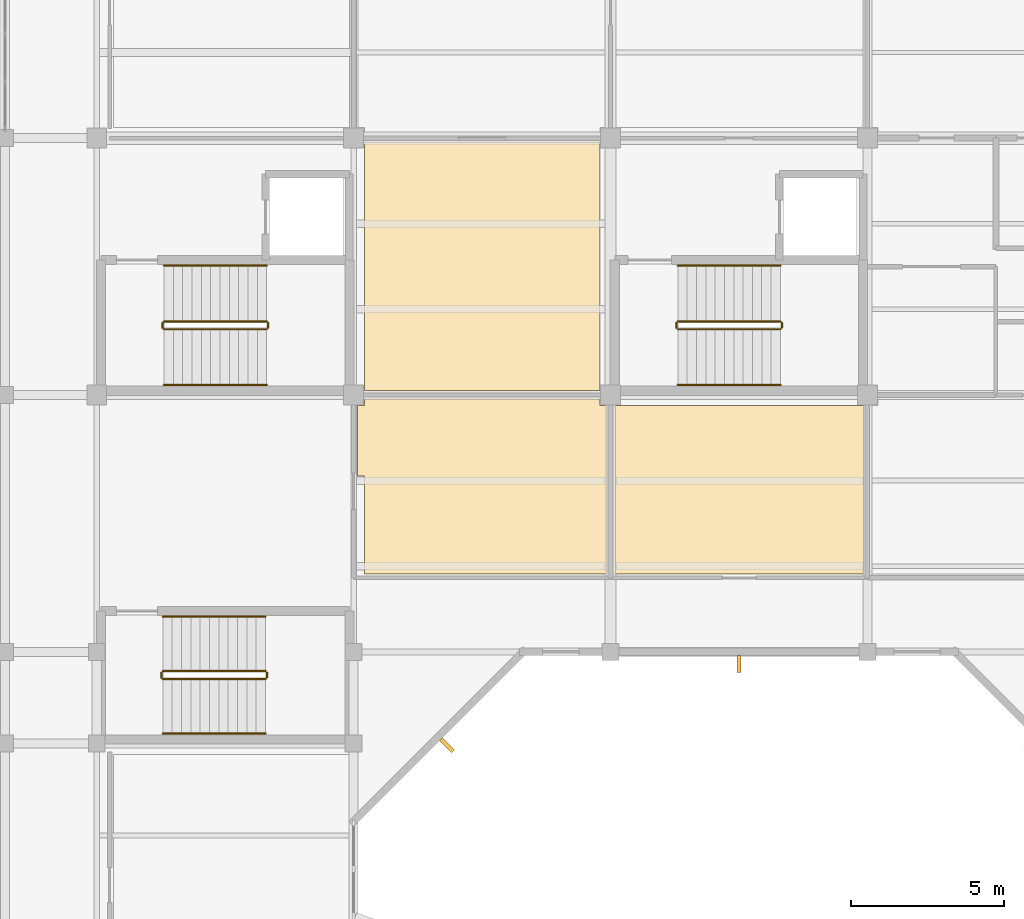
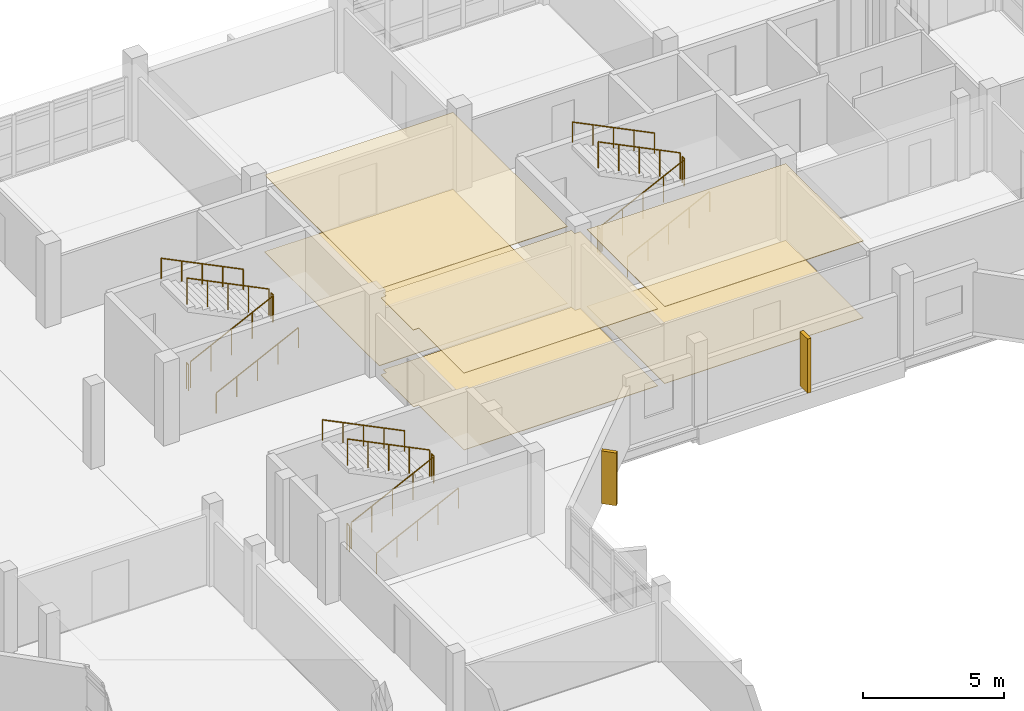
# One storey, part 49 of 51: 18 railings, 6 coverings, 2 shading devices.
"""IFC4 building model written with IfcOpenShell, lengths in metres."""

from ifc_helpers import new_model, si_unit, direction, frame, origin, origin_2d, place, context, subcontext, project, spatial, polyline, rectangle, circle, outline, extrude, material, layer, layer_set, type_object, element, save


model = new_model("IFC4")

# Units and contexts
model_context = context("Model", 3, precision=1e-05, world=origin(), true_north=direction((0.0, 1.0)))
body_context = subcontext(model_context, "Body", "Model", "MODEL_VIEW")
ifc_project = project(units=[si_unit("LENGTHUNIT", "METRE"), si_unit("AREAUNIT", "SQUARE_METRE"), si_unit("VOLUMEUNIT", "CUBIC_METRE"), si_unit("PLANEANGLEUNIT", "RADIAN"), si_unit("MASSUNIT", "GRAM", prefix="KILO")], contexts=[model_context])

# Site, building, storey
site_placement = place(None, origin())
site = spatial("IfcSite", under=ifc_project, at=site_placement, CompositionType="ELEMENT")
building_placement = place(site_placement, origin())
building = spatial("IfcBuilding", under=site, at=building_placement, Name="Vanh Quang Courtyard School", CompositionType="ELEMENT")
storey_placement = place(building_placement, frame((0.0, 0.0, 11.39990234375)))
storey = spatial("IfcBuildingStorey", under=building, at=storey_placement, Name="L03", CompositionType="ELEMENT", Elevation=11.39990234375)

# Coverings
ifc_material_1 = material(Name="Perforated mineral-fibre acoustic ceiling board")
ifc_layer_1 = layer(ifc_material_1, 0.02490234375)
ifc_layer_set_1 = layer_set([ifc_layer_1], Name="Perforated mineral-fibre acoustic ceiling board")
covering_type_1 = type_object("IfcCoveringType", Name="COV-CEIL-ACOUSTIC", PredefinedType="CEILING", material=ifc_layer_set_1)
covering_1_placement = place(storey_placement, frame((0.0, 0.0, 3.315185546875)))
element("IfcCovering", 1, at=covering_1_placement, inside=storey, type_object=covering_type_1, Name="Covering CV-CL1 (L03)", PredefinedType="CEILING", context=body_context, shape_type="SweptSolid", body=[
    extrude(outline(polyline([(85.929931640625, 79.449951171875), (86.14990234375, 79.449951171875), (86.14990234375, 79.669921875), (93.85009765625, 79.669921875), (93.85009765625, 79.449951171875), (94.070068359375, 79.449951171875), (94.070068359375, 73.9599609375), (94.070068359375, 73.958984375), (94.06982421875, 73.9580078125), (94.069580078125, 73.95703125), (94.069091796875, 73.956298828125), (94.06884765625, 73.955322265625), (94.068359375, 73.954345703125), (94.067626953125, 73.95361328125), (94.067138671875, 73.952880859375), (94.06640625, 73.952392578125), (94.065673828125, 73.95166015625), (94.064697265625, 73.951171875), (94.063720703125, 73.95068359375), (94.06298828125, 73.950439453125), (94.06201171875, 73.9501953125), (94.06103515625, 73.949951171875), (94.06005859375, 73.949951171875), (86.14990234375, 73.949951171875), (86.14990234375, 77.14990234375), (85.929931640625, 77.14990234375), (85.929931640625, 79.449951171875)])), origin(), (0.0, 0.0, 1.0), 0.02490234375),
])
covering_2_placement = place(storey_placement, frame((0.0, 0.0, 3.315185546875)))
element("IfcCovering", 2, at=covering_2_placement, inside=storey, type_object=covering_type_1, Name="Covering CV-CL1 (L03)", PredefinedType="CEILING", context=body_context, shape_type="SweptSolid", body=[
    extrude(outline(polyline([(86.14990234375, 79.949951171875), (86.14990234375, 88.070068359375), (93.85009765625, 88.070068359375), (93.85009765625, 79.949951171875), (86.14990234375, 79.949951171875)])), origin(), (0.0, 0.0, 1.0), 0.02490234375),
])
covering_3_placement = place(storey_placement, frame((0.0, 0.0, 3.315185546875)))
element("IfcCovering", 3, at=covering_3_placement, inside=storey, type_object=covering_type_1, Name="Covering CV-CL1 (L03)", PredefinedType="CEILING", context=body_context, shape_type="SweptSolid", body=[
    extrude(outline(polyline([(94.360107421875, 73.949951171875), (94.35888671875, 73.949951171875), (94.35791015625, 73.9501953125), (94.357177734375, 73.950439453125), (94.356201171875, 73.95068359375), (94.355224609375, 73.951171875), (94.3544921875, 73.95166015625), (94.353759765625, 73.952392578125), (94.352783203125, 73.952880859375), (94.352294921875, 73.95361328125), (94.351806640625, 73.954345703125), (94.351318359375, 73.955322265625), (94.350830078125, 73.956298828125), (94.350341796875, 73.95703125), (94.35009765625, 73.9580078125), (94.35009765625, 73.958984375), (94.35009765625, 73.9599609375), (94.35009765625, 79.449951171875), (102.469970703125, 79.449951171875), (102.469970703125, 73.9599609375), (102.469970703125, 73.958984375), (102.4697265625, 73.9580078125), (102.469482421875, 73.95703125), (102.46923828125, 73.956298828125), (102.46875, 73.955322265625), (102.46826171875, 73.954345703125), (102.4677734375, 73.95361328125), (102.467041015625, 73.952880859375), (102.46630859375, 73.952392578125), (102.465576171875, 73.95166015625), (102.464599609375, 73.951171875), (102.4638671875, 73.95068359375), (102.462890625, 73.950439453125), (102.4619140625, 73.9501953125), (102.4609375, 73.949951171875), (102.4599609375, 73.949951171875), (94.360107421875, 73.949951171875)])), origin(), (0.0, 0.0, 1.0), 0.02490234375),
])
ifc_material_2 = material(Name="Polished cementitious terrazzo tile", Category="concrete")
ifc_layer_2 = layer(ifc_material_2, 0.02001953125)
ifc_layer_set_2 = layer_set([ifc_layer_2], Name="Polished cementitious terrazzo tile")
covering_type_2 = type_object("IfcCoveringType", Name="COV-FLR-TERRAZZO", PredefinedType="FLOORING", material=ifc_layer_set_2)
covering_4_placement = place(storey_placement, origin())
element("IfcCovering", 4, at=covering_4_placement, inside=storey, type_object=covering_type_2, Name="Covering CV-FL1 (L03)", PredefinedType="FLOORING", context=body_context, shape_type="SweptSolid", body=[
    extrude(outline(polyline([(85.929931640625, 79.449951171875), (86.14990234375, 79.449951171875), (86.14990234375, 79.669921875), (93.85009765625, 79.669921875), (93.85009765625, 79.449951171875), (94.070068359375, 79.449951171875), (94.070068359375, 73.9599609375), (94.070068359375, 73.958984375), (94.06982421875, 73.9580078125), (94.069580078125, 73.95703125), (94.069091796875, 73.956298828125), (94.06884765625, 73.955322265625), (94.068359375, 73.954345703125), (94.067626953125, 73.95361328125), (94.067138671875, 73.952880859375), (94.06640625, 73.952392578125), (94.065673828125, 73.95166015625), (94.064697265625, 73.951171875), (94.063720703125, 73.95068359375), (94.06298828125, 73.950439453125), (94.06201171875, 73.9501953125), (94.06103515625, 73.949951171875), (94.06005859375, 73.949951171875), (86.14990234375, 73.949951171875), (86.14990234375, 77.14990234375), (85.929931640625, 77.14990234375), (85.929931640625, 79.449951171875)])), origin(), (0.0, 0.0, 1.0), 0.02001953125),
])
covering_5_placement = place(storey_placement, origin())
element("IfcCovering", 5, at=covering_5_placement, inside=storey, type_object=covering_type_2, Name="Covering CV-FL1 (L03)", PredefinedType="FLOORING", context=body_context, shape_type="SweptSolid", body=[
    extrude(outline(polyline([(86.14990234375, 79.949951171875), (86.14990234375, 88.070068359375), (93.85009765625, 88.070068359375), (93.85009765625, 79.949951171875), (86.14990234375, 79.949951171875)])), origin(), (0.0, 0.0, 1.0), 0.02001953125),
])
covering_6_placement = place(storey_placement, origin())
element("IfcCovering", 6, at=covering_6_placement, inside=storey, type_object=covering_type_2, Name="Covering CV-FL1 (L03)", PredefinedType="FLOORING", context=body_context, shape_type="SweptSolid", body=[
    extrude(outline(polyline([(94.360107421875, 73.949951171875), (94.35888671875, 73.949951171875), (94.35791015625, 73.9501953125), (94.357177734375, 73.950439453125), (94.356201171875, 73.95068359375), (94.355224609375, 73.951171875), (94.3544921875, 73.95166015625), (94.353759765625, 73.952392578125), (94.352783203125, 73.952880859375), (94.352294921875, 73.95361328125), (94.351806640625, 73.954345703125), (94.351318359375, 73.955322265625), (94.350830078125, 73.956298828125), (94.350341796875, 73.95703125), (94.35009765625, 73.9580078125), (94.35009765625, 73.958984375), (94.35009765625, 73.9599609375), (94.35009765625, 79.449951171875), (102.469970703125, 79.449951171875), (102.469970703125, 73.9599609375), (102.469970703125, 73.958984375), (102.4697265625, 73.9580078125), (102.469482421875, 73.95703125), (102.46923828125, 73.956298828125), (102.46875, 73.955322265625), (102.46826171875, 73.954345703125), (102.4677734375, 73.95361328125), (102.467041015625, 73.952880859375), (102.46630859375, 73.952392578125), (102.465576171875, 73.95166015625), (102.464599609375, 73.951171875), (102.4638671875, 73.95068359375), (102.462890625, 73.950439453125), (102.4619140625, 73.9501953125), (102.4609375, 73.949951171875), (102.4599609375, 73.949951171875), (94.360107421875, 73.949951171875)])), origin(), (0.0, 0.0, 1.0), 0.02001953125),
])

# Railings
ifc_material_3 = material(Name="Galvanised painted steel EN 10025-2 S355J2", Category="steel")
railing_type_1 = type_object("IfcRailingType", Name="RAIL-GUARD-1150", PredefinedType="BALUSTRADE", material=ifc_material_3)
railing_1_placement = place(storey_placement, frame((79.60009765625, 81.949951171875, 0.150146484375)))
element("IfcRailing", 7, at=railing_1_placement, inside=storey, type_object=railing_type_1, Name="L03 ST-01 stair guard 1", PredefinedType="BALUSTRADE", context=body_context, shape_type="SweptSolid", body=[
    extrude(circle(Radius=0.02392578125, at=origin_2d()), frame((0.0, 0.0, 1.1259765625), z_axis=(0.897359292542, 0.0, 0.441300691239), x_axis=(0.0, 1.0, 0.0)), (0.0, 0.0, 1.0), 3.73876953125),
    extrude(circle(Radius=0.02099609375, at=origin_2d()), origin(), (0.0, 0.0, 1.0), 1.101806640625),
    extrude(circle(Radius=0.02099609375, at=origin_2d()), frame((0.8388671875, 0.0, 0.41259765625)), (0.0, 0.0, 1.0), 1.101806640625),
    extrude(circle(Radius=0.02099609375, at=origin_2d()), frame((1.677490234375, 0.0, 0.824951171875)), (0.0, 0.0, 1.0), 1.101806640625),
    extrude(circle(Radius=0.02099609375, at=origin_2d()), frame((2.51611328125, 0.0, 1.2373046875)), (0.0, 0.0, 1.0), 1.101806640625),
    extrude(circle(Radius=0.02099609375, at=origin_2d()), frame((3.35498046875, 0.0, 1.64990234375)), (0.0, 0.0, 1.0), 1.101806640625),
])
railing_2_placement = place(storey_placement, frame((83.0048828125, 82.0, 1.800048828125)))
element("IfcRailing", 8, at=railing_2_placement, inside=storey, type_object=railing_type_1, Name="L03 ST-01 stair guard 2", PredefinedType="BALUSTRADE", context=body_context, shape_type="SweptSolid", body=[
    extrude(circle(Radius=0.02392578125, at=origin_2d()), frame((0.0, 0.0, 1.1259765625), z_axis=(0.0, 1.0, 0.0), x_axis=(-1.0, 0.0, 0.0)), (0.0, 0.0, 1.0), 0.159912109375),
    extrude(circle(Radius=0.02099609375, at=origin_2d()), origin(), (0.0, 0.0, 1.0), 1.101806640625),
    extrude(circle(Radius=0.02099609375, at=origin_2d()), frame((0.0, 0.159912109375, 0.0)), (0.0, 0.0, 1.0), 1.101806640625),
])
railing_3_placement = place(storey_placement, frame((82.955078125, 82.2099609375, 1.9501953125)))
element("IfcRailing", 9, at=railing_3_placement, inside=storey, type_object=railing_type_1, Name="L03 ST-01 stair guard 3", PredefinedType="BALUSTRADE", context=body_context, shape_type="SweptSolid", body=[
    extrude(circle(Radius=0.02392578125, at=origin_2d()), frame((0.0, 0.0, 1.1259765625), z_axis=(-0.897359292542, 0.0, 0.441300691239), x_axis=(0.0, -1.0, 0.0)), (0.0, 0.0, 1.0), 3.73876953125),
    extrude(circle(Radius=0.02099609375, at=origin_2d()), origin(), (0.0, 0.0, 1.0), 1.101806640625),
    extrude(circle(Radius=0.02099609375, at=origin_2d()), frame((-0.8388671875, 0.0, 0.41259765625)), (0.0, 0.0, 1.0), 1.101806640625),
    extrude(circle(Radius=0.02099609375, at=origin_2d()), frame((-1.677490234375, 0.0, 0.824951171875)), (0.0, 0.0, 1.0), 1.101806640625),
    extrude(circle(Radius=0.02099609375, at=origin_2d()), frame((-2.51611328125, 0.0, 1.2373046875)), (0.0, 0.0, 1.0), 1.101806640625),
    extrude(circle(Radius=0.02099609375, at=origin_2d()), frame((-3.35498046875, 0.0, 1.64990234375)), (0.0, 0.0, 1.0), 1.101806640625),
])
railing_4_placement = place(storey_placement, frame((79.550048828125, 82.0, 0.0)))
element("IfcRailing", 10, at=railing_4_placement, inside=storey, type_object=railing_type_1, Name="L03 ST-01 stair guard 4", PredefinedType="BALUSTRADE", context=body_context, shape_type="SweptSolid", body=[
    extrude(circle(Radius=0.02392578125, at=origin_2d()), frame((0.0, 0.0, 1.1259765625), z_axis=(0.0, 1.0, 0.0), x_axis=(-1.0, 0.0, 0.0)), (0.0, 0.0, 1.0), 0.159912109375),
    extrude(circle(Radius=0.02099609375, at=origin_2d()), origin(), (0.0, 0.0, 1.0), 1.101806640625),
    extrude(circle(Radius=0.02099609375, at=origin_2d()), frame((0.0, 0.159912109375, 0.0)), (0.0, 0.0, 1.0), 1.101806640625),
])
railing_5_placement = place(storey_placement, frame((96.39990234375, 81.949951171875, 0.150146484375)))
element("IfcRailing", 11, at=railing_5_placement, inside=storey, type_object=railing_type_1, Name="L03 ST-02 stair guard 1", PredefinedType="BALUSTRADE", context=body_context, shape_type="SweptSolid", body=[
    extrude(circle(Radius=0.02392578125, at=origin_2d()), frame((0.0, 0.0, 1.1259765625), z_axis=(0.897359292542, 0.0, 0.441300691239), x_axis=(0.0, 1.0, 0.0)), (0.0, 0.0, 1.0), 3.73876953125),
    extrude(circle(Radius=0.02099609375, at=origin_2d()), origin(), (0.0, 0.0, 1.0), 1.101806640625),
    extrude(circle(Radius=0.02099609375, at=origin_2d()), frame((0.8388671875, 0.0, 0.41259765625)), (0.0, 0.0, 1.0), 1.101806640625),
    extrude(circle(Radius=0.02099609375, at=origin_2d()), frame((1.677490234375, 0.0, 0.824951171875)), (0.0, 0.0, 1.0), 1.101806640625),
    extrude(circle(Radius=0.02099609375, at=origin_2d()), frame((2.51611328125, 0.0, 1.2373046875)), (0.0, 0.0, 1.0), 1.101806640625),
    extrude(circle(Radius=0.02099609375, at=origin_2d()), frame((3.35498046875, 0.0, 1.64990234375)), (0.0, 0.0, 1.0), 1.101806640625),
])
railing_6_placement = place(storey_placement, frame((99.804931640625, 82.0, 1.800048828125)))
element("IfcRailing", 12, at=railing_6_placement, inside=storey, type_object=railing_type_1, Name="L03 ST-02 stair guard 2", PredefinedType="BALUSTRADE", context=body_context, shape_type="SweptSolid", body=[
    extrude(circle(Radius=0.02392578125, at=origin_2d()), frame((0.0, 0.0, 1.1259765625), z_axis=(0.0, 1.0, 0.0), x_axis=(-1.0, 0.0, 0.0)), (0.0, 0.0, 1.0), 0.159912109375),
    extrude(circle(Radius=0.02099609375, at=origin_2d()), origin(), (0.0, 0.0, 1.0), 1.101806640625),
    extrude(circle(Radius=0.02099609375, at=origin_2d()), frame((0.0, 0.159912109375, 0.0)), (0.0, 0.0, 1.0), 1.101806640625),
])
railing_7_placement = place(storey_placement, frame((99.7548828125, 82.2099609375, 1.9501953125)))
element("IfcRailing", 13, at=railing_7_placement, inside=storey, type_object=railing_type_1, Name="L03 ST-02 stair guard 3", PredefinedType="BALUSTRADE", context=body_context, shape_type="SweptSolid", body=[
    extrude(circle(Radius=0.02392578125, at=origin_2d()), frame((0.0, 0.0, 1.1259765625), z_axis=(-0.897359292542, 0.0, 0.441300691239), x_axis=(0.0, -1.0, 0.0)), (0.0, 0.0, 1.0), 3.73876953125),
    extrude(circle(Radius=0.02099609375, at=origin_2d()), origin(), (0.0, 0.0, 1.0), 1.101806640625),
    extrude(circle(Radius=0.02099609375, at=origin_2d()), frame((-0.8388671875, 0.0, 0.41259765625)), (0.0, 0.0, 1.0), 1.101806640625),
    extrude(circle(Radius=0.02099609375, at=origin_2d()), frame((-1.677490234375, 0.0, 0.824951171875)), (0.0, 0.0, 1.0), 1.101806640625),
    extrude(circle(Radius=0.02099609375, at=origin_2d()), frame((-2.51611328125, 0.0, 1.2373046875)), (0.0, 0.0, 1.0), 1.101806640625),
    extrude(circle(Radius=0.02099609375, at=origin_2d()), frame((-3.35498046875, 0.0, 1.64990234375)), (0.0, 0.0, 1.0), 1.101806640625),
])
railing_8_placement = place(storey_placement, frame((96.35009765625, 82.0, 0.0)))
element("IfcRailing", 14, at=railing_8_placement, inside=storey, type_object=railing_type_1, Name="L03 ST-02 stair guard 4", PredefinedType="BALUSTRADE", context=body_context, shape_type="SweptSolid", body=[
    extrude(circle(Radius=0.02392578125, at=origin_2d()), frame((0.0, 0.0, 1.1259765625), z_axis=(0.0, 1.0, 0.0), x_axis=(-1.0, 0.0, 0.0)), (0.0, 0.0, 1.0), 0.159912109375),
    extrude(circle(Radius=0.02099609375, at=origin_2d()), origin(), (0.0, 0.0, 1.0), 1.101806640625),
    extrude(circle(Radius=0.02099609375, at=origin_2d()), frame((0.0, 0.159912109375, 0.0)), (0.0, 0.0, 1.0), 1.101806640625),
])
railing_9_placement = place(storey_placement, frame((79.56005859375, 70.510009765625, 0.150146484375)))
element("IfcRailing", 15, at=railing_9_placement, inside=storey, type_object=railing_type_1, Name="L03 ST-05 stair guard 1", PredefinedType="BALUSTRADE", context=body_context, shape_type="SweptSolid", body=[
    extrude(circle(Radius=0.02392578125, at=origin_2d()), frame((0.0, 0.0, 1.1259765625), z_axis=(0.897359292542, 0.0, 0.441300691239), x_axis=(0.0, 1.0, 0.0)), (0.0, 0.0, 1.0), 3.73876953125),
    extrude(circle(Radius=0.02099609375, at=origin_2d()), origin(), (0.0, 0.0, 1.0), 1.101806640625),
    extrude(circle(Radius=0.02099609375, at=origin_2d()), frame((0.8388671875, 0.0, 0.41259765625)), (0.0, 0.0, 1.0), 1.101806640625),
    extrude(circle(Radius=0.02099609375, at=origin_2d()), frame((1.677490234375, 0.0, 0.824951171875)), (0.0, 0.0, 1.0), 1.101806640625),
    extrude(circle(Radius=0.02099609375, at=origin_2d()), frame((2.51611328125, 0.0, 1.2373046875)), (0.0, 0.0, 1.0), 1.101806640625),
    extrude(circle(Radius=0.02099609375, at=origin_2d()), frame((3.35498046875, 0.0, 1.64990234375)), (0.0, 0.0, 1.0), 1.101806640625),
])
railing_10_placement = place(storey_placement, frame((82.965087890625, 70.56005859375, 1.800048828125)))
element("IfcRailing", 16, at=railing_10_placement, inside=storey, type_object=railing_type_1, Name="L03 ST-05 stair guard 2", PredefinedType="BALUSTRADE", context=body_context, shape_type="SweptSolid", body=[
    extrude(circle(Radius=0.02392578125, at=origin_2d()), frame((0.0, 0.0, 1.1259765625), z_axis=(0.0, 1.0, 0.0), x_axis=(-1.0, 0.0, 0.0)), (0.0, 0.0, 1.0), 0.159912109375),
    extrude(circle(Radius=0.02099609375, at=origin_2d()), origin(), (0.0, 0.0, 1.0), 1.101806640625),
    extrude(circle(Radius=0.02099609375, at=origin_2d()), frame((0.0, 0.159912109375, 0.0)), (0.0, 0.0, 1.0), 1.101806640625),
])
railing_11_placement = place(storey_placement, frame((82.9150390625, 70.77001953125, 1.9501953125)))
element("IfcRailing", 17, at=railing_11_placement, inside=storey, type_object=railing_type_1, Name="L03 ST-05 stair guard 3", PredefinedType="BALUSTRADE", context=body_context, shape_type="SweptSolid", body=[
    extrude(circle(Radius=0.02392578125, at=origin_2d()), frame((0.0, 0.0, 1.1259765625), z_axis=(-0.897359292542, 0.0, 0.441300691239), x_axis=(0.0, -1.0, 0.0)), (0.0, 0.0, 1.0), 3.73876953125),
    extrude(circle(Radius=0.02099609375, at=origin_2d()), origin(), (0.0, 0.0, 1.0), 1.101806640625),
    extrude(circle(Radius=0.02099609375, at=origin_2d()), frame((-0.8388671875, 0.0, 0.41259765625)), (0.0, 0.0, 1.0), 1.101806640625),
    extrude(circle(Radius=0.02099609375, at=origin_2d()), frame((-1.677490234375, 0.0, 0.824951171875)), (0.0, 0.0, 1.0), 1.101806640625),
    extrude(circle(Radius=0.02099609375, at=origin_2d()), frame((-2.51611328125, 0.0, 1.2373046875)), (0.0, 0.0, 1.0), 1.101806640625),
    extrude(circle(Radius=0.02099609375, at=origin_2d()), frame((-3.35498046875, 0.0, 1.64990234375)), (0.0, 0.0, 1.0), 1.101806640625),
])
railing_12_placement = place(storey_placement, frame((79.510009765625, 70.56005859375, 0.0)))
element("IfcRailing", 18, at=railing_12_placement, inside=storey, type_object=railing_type_1, Name="L03 ST-05 stair guard 4", PredefinedType="BALUSTRADE", context=body_context, shape_type="SweptSolid", body=[
    extrude(circle(Radius=0.02392578125, at=origin_2d()), frame((0.0, 0.0, 1.1259765625), z_axis=(0.0, 1.0, 0.0), x_axis=(-1.0, 0.0, 0.0)), (0.0, 0.0, 1.0), 0.159912109375),
    extrude(circle(Radius=0.02099609375, at=origin_2d()), origin(), (0.0, 0.0, 1.0), 1.101806640625),
    extrude(circle(Radius=0.02099609375, at=origin_2d()), frame((0.0, 0.159912109375, 0.0)), (0.0, 0.0, 1.0), 1.101806640625),
])
ifc_material_4 = material(Name="Brushed stainless steel", Category="steel")
railing_type_2 = type_object("IfcRailingType", Name="RAIL-HAND-900", PredefinedType="HANDRAIL", material=ifc_material_4)
railing_13_placement = place(storey_placement, frame((79.60009765625, 80.1298828125, 0.150146484375)))
element("IfcRailing", 19, at=railing_13_placement, inside=storey, type_object=railing_type_2, Name="L03 ST-01 stair handrail 1", PredefinedType="HANDRAIL", context=body_context, shape_type="SweptSolid", body=[
    extrude(circle(Radius=0.02392578125, at=origin_2d()), frame((0.0, 0.0, 0.8759765625), z_axis=(0.897359292542, 0.0, 0.441300691239), x_axis=(0.0, 1.0, 0.0)), (0.0, 0.0, 1.0), 3.73876953125),
    extrude(circle(Radius=0.02099609375, at=origin_2d()), origin(), (0.0, 0.0, 1.0), 0.851806640625),
    extrude(circle(Radius=0.02099609375, at=origin_2d()), frame((0.8388671875, 0.0, 0.41259765625)), (0.0, 0.0, 1.0), 0.851806640625),
    extrude(circle(Radius=0.02099609375, at=origin_2d()), frame((1.677490234375, 0.0, 0.824951171875)), (0.0, 0.0, 1.0), 0.851806640625),
    extrude(circle(Radius=0.02099609375, at=origin_2d()), frame((2.51611328125, 0.0, 1.2373046875)), (0.0, 0.0, 1.0), 0.851806640625),
    extrude(circle(Radius=0.02099609375, at=origin_2d()), frame((3.35498046875, 0.0, 1.64990234375)), (0.0, 0.0, 1.0), 0.851806640625),
])
railing_14_placement = place(storey_placement, frame((82.955078125, 84.030029296875, 1.9501953125)))
element("IfcRailing", 20, at=railing_14_placement, inside=storey, type_object=railing_type_2, Name="L03 ST-01 stair handrail 2", PredefinedType="HANDRAIL", context=body_context, shape_type="SweptSolid", body=[
    extrude(circle(Radius=0.02392578125, at=origin_2d()), frame((0.0, 0.0, 0.8759765625), z_axis=(-0.897359292542, 0.0, 0.441300691239), x_axis=(0.0, -1.0, 0.0)), (0.0, 0.0, 1.0), 3.73876953125),
    extrude(circle(Radius=0.02099609375, at=origin_2d()), origin(), (0.0, 0.0, 1.0), 0.851806640625),
    extrude(circle(Radius=0.02099609375, at=origin_2d()), frame((-0.8388671875, 0.0, 0.41259765625)), (0.0, 0.0, 1.0), 0.851806640625),
    extrude(circle(Radius=0.02099609375, at=origin_2d()), frame((-1.677490234375, 0.0, 0.824951171875)), (0.0, 0.0, 1.0), 0.851806640625),
    extrude(circle(Radius=0.02099609375, at=origin_2d()), frame((-2.51611328125, 0.0, 1.2373046875)), (0.0, 0.0, 1.0), 0.851806640625),
    extrude(circle(Radius=0.02099609375, at=origin_2d()), frame((-3.35498046875, 0.0, 1.64990234375)), (0.0, 0.0, 1.0), 0.851806640625),
])
railing_15_placement = place(storey_placement, frame((96.39990234375, 80.1298828125, 0.150146484375)))
element("IfcRailing", 21, at=railing_15_placement, inside=storey, type_object=railing_type_2, Name="L03 ST-02 stair handrail 1", PredefinedType="HANDRAIL", context=body_context, shape_type="SweptSolid", body=[
    extrude(circle(Radius=0.02392578125, at=origin_2d()), frame((0.0, 0.0, 0.8759765625), z_axis=(0.897359292542, 0.0, 0.441300691239), x_axis=(0.0, 1.0, 0.0)), (0.0, 0.0, 1.0), 3.73876953125),
    extrude(circle(Radius=0.02099609375, at=origin_2d()), origin(), (0.0, 0.0, 1.0), 0.851806640625),
    extrude(circle(Radius=0.02099609375, at=origin_2d()), frame((0.8388671875, 0.0, 0.41259765625)), (0.0, 0.0, 1.0), 0.851806640625),
    extrude(circle(Radius=0.02099609375, at=origin_2d()), frame((1.677490234375, 0.0, 0.824951171875)), (0.0, 0.0, 1.0), 0.851806640625),
    extrude(circle(Radius=0.02099609375, at=origin_2d()), frame((2.51611328125, 0.0, 1.2373046875)), (0.0, 0.0, 1.0), 0.851806640625),
    extrude(circle(Radius=0.02099609375, at=origin_2d()), frame((3.35498046875, 0.0, 1.64990234375)), (0.0, 0.0, 1.0), 0.851806640625),
])
railing_16_placement = place(storey_placement, frame((99.7548828125, 84.030029296875, 1.9501953125)))
element("IfcRailing", 22, at=railing_16_placement, inside=storey, type_object=railing_type_2, Name="L03 ST-02 stair handrail 2", PredefinedType="HANDRAIL", context=body_context, shape_type="SweptSolid", body=[
    extrude(circle(Radius=0.02392578125, at=origin_2d()), frame((0.0, 0.0, 0.8759765625), z_axis=(-0.897359292542, 0.0, 0.441300691239), x_axis=(0.0, -1.0, 0.0)), (0.0, 0.0, 1.0), 3.73876953125),
    extrude(circle(Radius=0.02099609375, at=origin_2d()), origin(), (0.0, 0.0, 1.0), 0.851806640625),
    extrude(circle(Radius=0.02099609375, at=origin_2d()), frame((-0.8388671875, 0.0, 0.41259765625)), (0.0, 0.0, 1.0), 0.851806640625),
    extrude(circle(Radius=0.02099609375, at=origin_2d()), frame((-1.677490234375, 0.0, 0.824951171875)), (0.0, 0.0, 1.0), 0.851806640625),
    extrude(circle(Radius=0.02099609375, at=origin_2d()), frame((-2.51611328125, 0.0, 1.2373046875)), (0.0, 0.0, 1.0), 0.851806640625),
    extrude(circle(Radius=0.02099609375, at=origin_2d()), frame((-3.35498046875, 0.0, 1.64990234375)), (0.0, 0.0, 1.0), 0.851806640625),
])
railing_17_placement = place(storey_placement, frame((79.56005859375, 68.72998046875, 0.150146484375)))
element("IfcRailing", 23, at=railing_17_placement, inside=storey, type_object=railing_type_2, Name="L03 ST-05 stair handrail 1", PredefinedType="HANDRAIL", context=body_context, shape_type="SweptSolid", body=[
    extrude(circle(Radius=0.02392578125, at=origin_2d()), frame((0.0, 0.0, 0.8759765625), z_axis=(0.897359292542, 0.0, 0.441300691239), x_axis=(0.0, 1.0, 0.0)), (0.0, 0.0, 1.0), 3.73876953125),
    extrude(circle(Radius=0.02099609375, at=origin_2d()), origin(), (0.0, 0.0, 1.0), 0.851806640625),
    extrude(circle(Radius=0.02099609375, at=origin_2d()), frame((0.8388671875, 0.0, 0.41259765625)), (0.0, 0.0, 1.0), 0.851806640625),
    extrude(circle(Radius=0.02099609375, at=origin_2d()), frame((1.677490234375, 0.0, 0.824951171875)), (0.0, 0.0, 1.0), 0.851806640625),
    extrude(circle(Radius=0.02099609375, at=origin_2d()), frame((2.51611328125, 0.0, 1.2373046875)), (0.0, 0.0, 1.0), 0.851806640625),
    extrude(circle(Radius=0.02099609375, at=origin_2d()), frame((3.35498046875, 0.0, 1.64990234375)), (0.0, 0.0, 1.0), 0.851806640625),
])
railing_18_placement = place(storey_placement, frame((82.9150390625, 72.550048828125, 1.9501953125)))
element("IfcRailing", 24, at=railing_18_placement, inside=storey, type_object=railing_type_2, Name="L03 ST-05 stair handrail 2", PredefinedType="HANDRAIL", context=body_context, shape_type="SweptSolid", body=[
    extrude(circle(Radius=0.02392578125, at=origin_2d()), frame((0.0, 0.0, 0.8759765625), z_axis=(-0.897359292542, 0.0, 0.441300691239), x_axis=(0.0, -1.0, 0.0)), (0.0, 0.0, 1.0), 3.73876953125),
    extrude(circle(Radius=0.02099609375, at=origin_2d()), origin(), (0.0, 0.0, 1.0), 0.851806640625),
    extrude(circle(Radius=0.02099609375, at=origin_2d()), frame((-0.8388671875, 0.0, 0.41259765625)), (0.0, 0.0, 1.0), 0.851806640625),
    extrude(circle(Radius=0.02099609375, at=origin_2d()), frame((-1.677490234375, 0.0, 0.824951171875)), (0.0, 0.0, 1.0), 0.851806640625),
    extrude(circle(Radius=0.02099609375, at=origin_2d()), frame((-2.51611328125, 0.0, 1.2373046875)), (0.0, 0.0, 1.0), 0.851806640625),
    extrude(circle(Radius=0.02099609375, at=origin_2d()), frame((-3.35498046875, 0.0, 1.64990234375)), (0.0, 0.0, 1.0), 0.851806640625),
])

# Shading devices
ifc_material_5 = material(Name="Board-marked precast concrete C40/50", Category="concrete")
shading_device_type = type_object("IfcShadingDeviceType", Name="SHD-FIN-CONCRETE", PredefinedType="USERDEFINED", material=ifc_material_5)
shading_device_1_placement = place(storey_placement, frame((98.39990234375, 71.0048828125, 0.14990234375), z_axis=(0.0, 0.0, 1.0), x_axis=(-1.0, 0.0, 0.0)))
element("IfcShadingDevice", 25, at=shading_device_1_placement, inside=storey, type_object=shading_device_type, Name="Solar Shading SH-02 (L03)", ObjectType="Solar Shading SH-02 (L03)", PredefinedType="USERDEFINED", context=body_context, shape_type="SweptSolid", body=[
    extrude(rectangle(XDim=0.139892578125, YDim=0.550048828125, at=origin_2d()), origin(), (0.0, 0.0, 1.0), 2.340087890625),
])
shading_device_2_placement = place(storey_placement, frame((88.851318359375, 68.3486328125, 0.14990234375), z_axis=(0.0, 0.0, 1.0), x_axis=(-0.707106781187, -0.707106781187, 0.0)))
element("IfcShadingDevice", 26, at=shading_device_2_placement, inside=storey, type_object=shading_device_type, Name="Solar Shading SH-02 (L03)", ObjectType="Solar Shading SH-02 (L03)", PredefinedType="USERDEFINED", context=body_context, shape_type="SweptSolid", body=[
    extrude(rectangle(XDim=0.139892578125, YDim=0.550048828125, at=origin_2d()), origin(), (0.0, 0.0, 1.0), 2.280029296875),
])

save(model, "model.ifc")
